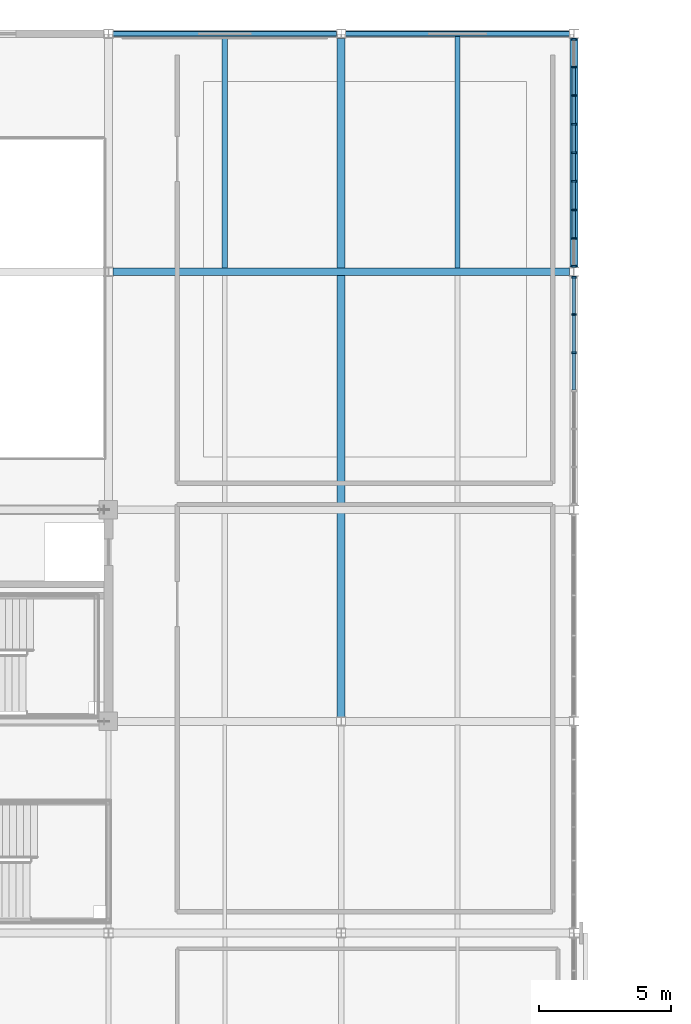
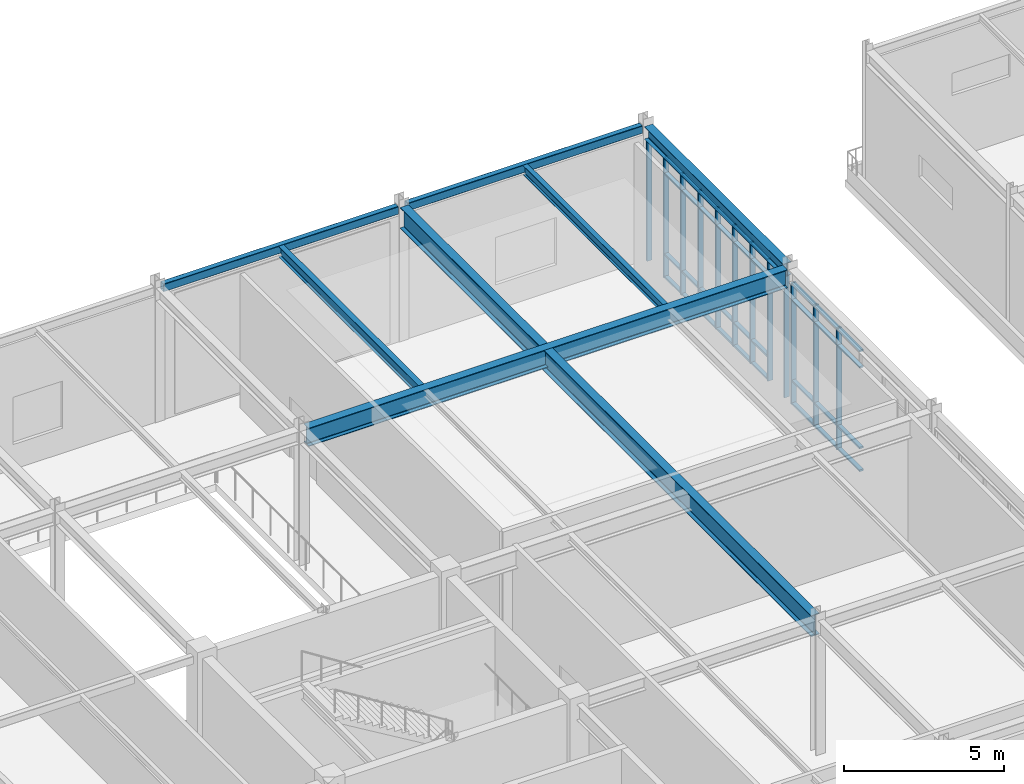
# One storey, part 69 of 184: 48 members, 7 beams, 2 elements without a shape of their own.
"""IFC4 building model written with IfcOpenShell, lengths in metres."""

from ifc_helpers import new_model, si_unit, direction, frame, origin, origin_2d, place, context, subcontext, project, spatial, rectangle, hollow_rectangle, i_section, extrude, material, material_profile, profile_set, type_object, element, aggregate, save


model = new_model("IFC4")

# Units and contexts
model_context = context("Model", 3, precision=1e-05, world=origin(), true_north=direction((0.0, 1.0)))
body_context = subcontext(model_context, "Body", "Model", "MODEL_VIEW")
ifc_project = project(units=[si_unit("LENGTHUNIT", "METRE"), si_unit("AREAUNIT", "SQUARE_METRE"), si_unit("VOLUMEUNIT", "CUBIC_METRE"), si_unit("PLANEANGLEUNIT", "RADIAN"), si_unit("MASSUNIT", "GRAM", prefix="KILO")], contexts=[model_context])

# Site, building, storey
site_placement = place(None, origin())
site = spatial("IfcSite", under=ifc_project, at=site_placement, CompositionType="ELEMENT")
building_placement = place(site_placement, origin())
building = spatial("IfcBuilding", under=site, at=building_placement, Name="Zhaolan Boulevard Law Courts", CompositionType="ELEMENT")
storey_placement = place(building_placement, frame((0.0, 0.0, 5.39990234375)))
storey = spatial("IfcBuildingStorey", under=building, at=storey_placement, Name="L01", CompositionType="ELEMENT", Elevation=5.39990234375)

# Curtain wall, members
ifc_material_1 = material(Name="Thermally broken aluminium and low-E glazing", Category="aluminium")
curtain_wall_type_1 = type_object("IfcCurtainWallType", Name="CURTAIN WALL M17", PredefinedType="USERDEFINED", material=ifc_material_1)
curtain_wall_1_placement = place(storey_placement, origin())
curtain_wall_1 = element("IfcCurtainWall", 1, at=curtain_wall_1_placement, inside=storey, type_object=curtain_wall_type_1, Name="Curtain Wall CW-L01-113", ObjectType="CURTAIN WALL", PredefinedType="USERDEFINED")
ifc_material_2 = material(Name="Fluorocarbon-coated aluminium 6063-T6", Category="aluminium")
ifc_material_profile_1 = material_profile(ifc_material_2, rectangle(XDim=0.179931640625, YDim=0.06494140625, at=origin_2d()), Name="AL65x180")
ifc_profile_set_1 = profile_set([ifc_material_profile_1], Name="Fluorocarbon-coated aluminium 6063-T6")
member_type_1 = type_object("IfcMemberType", Name="CWMULLION 65X180", PredefinedType="MULLION", material=ifc_profile_set_1)
member_1_placement = place(storey_placement, frame((44.0, 99.94091796875, 0.0), z_axis=(0.0, 0.0, 1.0), x_axis=(-1.0, 0.0, 0.0)))
member_1 = element("IfcMember", 2, at=member_1_placement, type_object=member_type_1, Name="CW-L01-113 mullion 5", PredefinedType="MULLION", context=body_context, shape_type="SweptSolid", body=[
    extrude(rectangle(XDim=0.179931640625, YDim=0.06494140625, at=origin_2d()), origin(), (0.0, 0.0, 1.0), 4.62109375),
])
member_2_placement = place(storey_placement, frame((44.0, 101.382080078125, 0.0), z_axis=(0.0, 0.0, 1.0), x_axis=(-1.0, 0.0, 0.0)))
member_2 = element("IfcMember", 3, at=member_2_placement, type_object=member_type_1, Name="CW-L01-113 mullion 6", PredefinedType="MULLION", context=body_context, shape_type="SweptSolid", body=[
    extrude(rectangle(XDim=0.179931640625, YDim=0.06494140625, at=origin_2d()), origin(), (0.0, 0.0, 1.0), 4.62109375),
])
member_3_placement = place(storey_placement, frame((44.0, 102.79052734375, 0.0), z_axis=(0.0, 0.0, 1.0), x_axis=(-1.0, 0.0, 0.0)))
member_3 = element("IfcMember", 4, at=member_3_placement, type_object=member_type_1, Name="CW-L01-113 mullion 7", PredefinedType="MULLION", context=body_context, shape_type="SweptSolid", body=[
    extrude(rectangle(XDim=0.179931640625, YDim=0.06494140625, at=origin_2d()), origin(), (0.0, 0.0, 1.0), 4.62109375),
])

ifc_material_3 = material(Name="Thermally broken aluminium and low-E glazing", Category="aluminium")
curtain_wall_type_2 = type_object("IfcCurtainWallType", Name="CURTAIN WALL M18", PredefinedType="USERDEFINED", material=ifc_material_3)
curtain_wall_2_placement = place(storey_placement, origin())
curtain_wall_2 = element("IfcCurtainWall", 5, at=curtain_wall_2_placement, inside=storey, type_object=curtain_wall_type_2, Name="Curtain Wall CW-L01-114", ObjectType="CURTAIN WALL", PredefinedType="USERDEFINED")
member_4_placement = place(storey_placement, frame((44.0, 103.20947265625, 0.0), z_axis=(0.0, 0.0, 1.0), x_axis=(-1.0, 0.0, 0.0)))
member_4 = element("IfcMember", 6, at=member_4_placement, type_object=member_type_1, Name="CW-L01-114 mullion 1", PredefinedType="MULLION", context=body_context, shape_type="SweptSolid", body=[
    extrude(rectangle(XDim=0.179931640625, YDim=0.06494140625, at=origin_2d()), origin(), (0.0, 0.0, 1.0), 4.62109375),
])
member_5_placement = place(storey_placement, frame((44.0, 104.2578125, 0.0), z_axis=(0.0, 0.0, 1.0), x_axis=(-1.0, 0.0, 0.0)))
member_5 = element("IfcMember", 7, at=member_5_placement, type_object=member_type_1, Name="CW-L01-114 mullion 2", PredefinedType="MULLION", context=body_context, shape_type="SweptSolid", body=[
    extrude(rectangle(XDim=0.179931640625, YDim=0.06494140625, at=origin_2d()), origin(), (0.0, 0.0, 1.0), 4.62109375),
])
member_6_placement = place(storey_placement, frame((44.0, 105.33837890625, 0.0), z_axis=(0.0, 0.0, 1.0), x_axis=(-1.0, 0.0, 0.0)))
member_6 = element("IfcMember", 8, at=member_6_placement, type_object=member_type_1, Name="CW-L01-114 mullion 3", PredefinedType="MULLION", context=body_context, shape_type="SweptSolid", body=[
    extrude(rectangle(XDim=0.179931640625, YDim=0.06494140625, at=origin_2d()), origin(), (0.0, 0.0, 1.0), 4.62109375),
])
member_7_placement = place(storey_placement, frame((44.0, 106.419189453125, 0.0), z_axis=(0.0, 0.0, 1.0), x_axis=(-1.0, 0.0, 0.0)))
member_7 = element("IfcMember", 9, at=member_7_placement, type_object=member_type_1, Name="CW-L01-114 mullion 4", PredefinedType="MULLION", context=body_context, shape_type="SweptSolid", body=[
    extrude(rectangle(XDim=0.179931640625, YDim=0.06494140625, at=origin_2d()), origin(), (0.0, 0.0, 1.0), 4.62109375),
])
member_8_placement = place(storey_placement, frame((44.0, 107.5, 0.0), z_axis=(0.0, 0.0, 1.0), x_axis=(-1.0, 0.0, 0.0)))
member_8 = element("IfcMember", 10, at=member_8_placement, type_object=member_type_1, Name="CW-L01-114 mullion 5", PredefinedType="MULLION", context=body_context, shape_type="SweptSolid", body=[
    extrude(rectangle(XDim=0.179931640625, YDim=0.06494140625, at=origin_2d()), origin(), (0.0, 0.0, 1.0), 4.62109375),
])
member_9_placement = place(storey_placement, frame((44.0, 108.580810546875, 0.0), z_axis=(0.0, 0.0, 1.0), x_axis=(-1.0, 0.0, 0.0)))
member_9 = element("IfcMember", 11, at=member_9_placement, type_object=member_type_1, Name="CW-L01-114 mullion 6", PredefinedType="MULLION", context=body_context, shape_type="SweptSolid", body=[
    extrude(rectangle(XDim=0.179931640625, YDim=0.06494140625, at=origin_2d()), origin(), (0.0, 0.0, 1.0), 4.62109375),
])
member_10_placement = place(storey_placement, frame((44.0, 109.66162109375, 0.0), z_axis=(0.0, 0.0, 1.0), x_axis=(-1.0, 0.0, 0.0)))
member_10 = element("IfcMember", 12, at=member_10_placement, type_object=member_type_1, Name="CW-L01-114 mullion 7", PredefinedType="MULLION", context=body_context, shape_type="SweptSolid", body=[
    extrude(rectangle(XDim=0.179931640625, YDim=0.06494140625, at=origin_2d()), origin(), (0.0, 0.0, 1.0), 4.62109375),
])
member_11_placement = place(storey_placement, frame((44.0, 110.7421875, 0.0), z_axis=(0.0, 0.0, 1.0), x_axis=(-1.0, 0.0, 0.0)))
member_11 = element("IfcMember", 13, at=member_11_placement, type_object=member_type_1, Name="CW-L01-114 mullion 8", PredefinedType="MULLION", context=body_context, shape_type="SweptSolid", body=[
    extrude(rectangle(XDim=0.179931640625, YDim=0.06494140625, at=origin_2d()), origin(), (0.0, 0.0, 1.0), 4.62109375),
])
member_12_placement = place(storey_placement, frame((44.0, 111.79052734375, 0.0), z_axis=(0.0, 0.0, 1.0), x_axis=(-1.0, 0.0, 0.0)))
member_12 = element("IfcMember", 14, at=member_12_placement, type_object=member_type_1, Name="CW-L01-114 mullion 9", PredefinedType="MULLION", context=body_context, shape_type="SweptSolid", body=[
    extrude(rectangle(XDim=0.179931640625, YDim=0.06494140625, at=origin_2d()), origin(), (0.0, 0.0, 1.0), 4.62109375),
])

# Member
ifc_material_4 = material(Name="Fluorocarbon-coated aluminium 6063-T6", Category="aluminium")
ifc_material_profile_2 = material_profile(ifc_material_4, rectangle(XDim=0.139892578125, YDim=0.06494140625, at=origin_2d()), Name="AL65x140")
ifc_profile_set_2 = profile_set([ifc_material_profile_2], Name="Fluorocarbon-coated aluminium 6063-T6")
member_type_2 = type_object("IfcMemberType", Name="CWTRANSOM 65X140", PredefinedType="USERDEFINED", material=ifc_profile_set_2)
member_13_placement = place(storey_placement, frame((44.0, 98.532470703125, 0.03271484375), z_axis=(0.0, 1.0, 0.0), x_axis=(-1.0, 0.0, 0.0)))
member_13 = element("IfcMember", 15, at=member_13_placement, type_object=member_type_2, Name="CW-L01-113 transom 4.1", ObjectType="TRANSOM", PredefinedType="USERDEFINED", context=body_context, shape_type="SweptSolid", body=[
    extrude(rectangle(XDim=0.139892578125, YDim=0.06494140625, at=origin_2d()), origin(), (0.0, 0.0, 1.0), 1.3759765625),
])

member_14_placement = place(storey_placement, frame((44.0, 98.532470703125, 0.900146484375), z_axis=(0.0, 1.0, 0.0), x_axis=(-1.0, 0.0, 0.0)))
member_14 = element("IfcMember", 16, at=member_14_placement, type_object=member_type_2, Name="CW-L01-113 transom 4.2", ObjectType="TRANSOM", PredefinedType="USERDEFINED", context=body_context, shape_type="SweptSolid", body=[
    extrude(rectangle(XDim=0.139892578125, YDim=0.06494140625, at=origin_2d()), origin(), (0.0, 0.0, 1.0), 1.3759765625),
])

member_15_placement = place(storey_placement, frame((44.0, 98.532470703125, 3.97119140625), z_axis=(0.0, 1.0, 0.0), x_axis=(-1.0, 0.0, 0.0)))
member_15 = element("IfcMember", 17, at=member_15_placement, type_object=member_type_2, Name="CW-L01-113 transom 4.3", ObjectType="TRANSOM", PredefinedType="USERDEFINED", context=body_context, shape_type="SweptSolid", body=[
    extrude(rectangle(XDim=0.139892578125, YDim=0.06494140625, at=origin_2d()), origin(), (0.0, 0.0, 1.0), 1.3759765625),
])

member_16_placement = place(storey_placement, frame((44.0, 98.532470703125, 4.588623046875), z_axis=(0.0, 1.0, 0.0), x_axis=(-1.0, 0.0, 0.0)))
member_16 = element("IfcMember", 18, at=member_16_placement, type_object=member_type_2, Name="CW-L01-113 transom 4.4", ObjectType="TRANSOM", PredefinedType="USERDEFINED", context=body_context, shape_type="SweptSolid", body=[
    extrude(rectangle(XDim=0.139892578125, YDim=0.06494140625, at=origin_2d()), origin(), (0.0, 0.0, 1.0), 1.3759765625),
])

member_17_placement = place(storey_placement, frame((44.0, 99.973388671875, 0.03271484375), z_axis=(0.0, 1.0, 0.0), x_axis=(-1.0, 0.0, 0.0)))
member_17 = element("IfcMember", 19, at=member_17_placement, type_object=member_type_2, Name="CW-L01-113 transom 5.1", ObjectType="TRANSOM", PredefinedType="USERDEFINED", context=body_context, shape_type="SweptSolid", body=[
    extrude(rectangle(XDim=0.139892578125, YDim=0.06494140625, at=origin_2d()), origin(), (0.0, 0.0, 1.0), 1.376220703125),
])

member_18_placement = place(storey_placement, frame((44.0, 99.973388671875, 0.900146484375), z_axis=(0.0, 1.0, 0.0), x_axis=(-1.0, 0.0, 0.0)))
member_18 = element("IfcMember", 20, at=member_18_placement, type_object=member_type_2, Name="CW-L01-113 transom 5.2", ObjectType="TRANSOM", PredefinedType="USERDEFINED", context=body_context, shape_type="SweptSolid", body=[
    extrude(rectangle(XDim=0.139892578125, YDim=0.06494140625, at=origin_2d()), origin(), (0.0, 0.0, 1.0), 1.376220703125),
])

member_19_placement = place(storey_placement, frame((44.0, 99.973388671875, 3.97119140625), z_axis=(0.0, 1.0, 0.0), x_axis=(-1.0, 0.0, 0.0)))
member_19 = element("IfcMember", 21, at=member_19_placement, type_object=member_type_2, Name="CW-L01-113 transom 5.3", ObjectType="TRANSOM", PredefinedType="USERDEFINED", context=body_context, shape_type="SweptSolid", body=[
    extrude(rectangle(XDim=0.139892578125, YDim=0.06494140625, at=origin_2d()), origin(), (0.0, 0.0, 1.0), 1.376220703125),
])

member_20_placement = place(storey_placement, frame((44.0, 99.973388671875, 4.588623046875), z_axis=(0.0, 1.0, 0.0), x_axis=(-1.0, 0.0, 0.0)))
member_20 = element("IfcMember", 22, at=member_20_placement, type_object=member_type_2, Name="CW-L01-113 transom 5.4", ObjectType="TRANSOM", PredefinedType="USERDEFINED", context=body_context, shape_type="SweptSolid", body=[
    extrude(rectangle(XDim=0.139892578125, YDim=0.06494140625, at=origin_2d()), origin(), (0.0, 0.0, 1.0), 1.376220703125),
])

member_21_placement = place(storey_placement, frame((44.0, 101.41455078125, 0.03271484375), z_axis=(0.0, 1.0, 0.0), x_axis=(-1.0, 0.0, 0.0)))
member_21 = element("IfcMember", 23, at=member_21_placement, type_object=member_type_2, Name="CW-L01-113 transom 6.1", ObjectType="TRANSOM", PredefinedType="USERDEFINED", context=body_context, shape_type="SweptSolid", body=[
    extrude(rectangle(XDim=0.139892578125, YDim=0.06494140625, at=origin_2d()), origin(), (0.0, 0.0, 1.0), 1.343505859375),
])

member_22_placement = place(storey_placement, frame((44.0, 101.41455078125, 0.900146484375), z_axis=(0.0, 1.0, 0.0), x_axis=(-1.0, 0.0, 0.0)))
member_22 = element("IfcMember", 24, at=member_22_placement, type_object=member_type_2, Name="CW-L01-113 transom 6.2", ObjectType="TRANSOM", PredefinedType="USERDEFINED", context=body_context, shape_type="SweptSolid", body=[
    extrude(rectangle(XDim=0.139892578125, YDim=0.06494140625, at=origin_2d()), origin(), (0.0, 0.0, 1.0), 1.343505859375),
])

member_23_placement = place(storey_placement, frame((44.0, 101.41455078125, 3.97119140625), z_axis=(0.0, 1.0, 0.0), x_axis=(-1.0, 0.0, 0.0)))
member_23 = element("IfcMember", 25, at=member_23_placement, type_object=member_type_2, Name="CW-L01-113 transom 6.3", ObjectType="TRANSOM", PredefinedType="USERDEFINED", context=body_context, shape_type="SweptSolid", body=[
    extrude(rectangle(XDim=0.139892578125, YDim=0.06494140625, at=origin_2d()), origin(), (0.0, 0.0, 1.0), 1.343505859375),
])

member_24_placement = place(storey_placement, frame((44.0, 101.41455078125, 4.588623046875), z_axis=(0.0, 1.0, 0.0), x_axis=(-1.0, 0.0, 0.0)))
member_24 = element("IfcMember", 26, at=member_24_placement, type_object=member_type_2, Name="CW-L01-113 transom 6.4", ObjectType="TRANSOM", PredefinedType="USERDEFINED", context=body_context, shape_type="SweptSolid", body=[
    extrude(rectangle(XDim=0.139892578125, YDim=0.06494140625, at=origin_2d()), origin(), (0.0, 0.0, 1.0), 1.343505859375),
])

aggregate(curtain_wall_1, [member_1, member_2, member_3, member_13, member_14, member_15, member_16, member_17, member_18, member_19, member_20, member_21, member_22, member_23, member_24])

member_25_placement = place(storey_placement, frame((44.0, 104.290283203125, 0.03271484375), z_axis=(0.0, 1.0, 0.0), x_axis=(-1.0, 0.0, 0.0)))
member_25 = element("IfcMember", 27, at=member_25_placement, type_object=member_type_2, Name="CW-L01-114 transom 2.1", ObjectType="TRANSOM", PredefinedType="USERDEFINED", context=body_context, shape_type="SweptSolid", body=[
    extrude(rectangle(XDim=0.139892578125, YDim=0.06494140625, at=origin_2d()), origin(), (0.0, 0.0, 1.0), 1.015625),
])

member_26_placement = place(storey_placement, frame((44.0, 104.290283203125, 0.900146484375), z_axis=(0.0, 1.0, 0.0), x_axis=(-1.0, 0.0, 0.0)))
member_26 = element("IfcMember", 28, at=member_26_placement, type_object=member_type_2, Name="CW-L01-114 transom 2.2", ObjectType="TRANSOM", PredefinedType="USERDEFINED", context=body_context, shape_type="SweptSolid", body=[
    extrude(rectangle(XDim=0.139892578125, YDim=0.06494140625, at=origin_2d()), origin(), (0.0, 0.0, 1.0), 1.015625),
])

member_27_placement = place(storey_placement, frame((44.0, 104.290283203125, 3.97119140625), z_axis=(0.0, 1.0, 0.0), x_axis=(-1.0, 0.0, 0.0)))
member_27 = element("IfcMember", 29, at=member_27_placement, type_object=member_type_2, Name="CW-L01-114 transom 2.3", ObjectType="TRANSOM", PredefinedType="USERDEFINED", context=body_context, shape_type="SweptSolid", body=[
    extrude(rectangle(XDim=0.139892578125, YDim=0.06494140625, at=origin_2d()), origin(), (0.0, 0.0, 1.0), 1.015625),
])

member_28_placement = place(storey_placement, frame((44.0, 104.290283203125, 4.588623046875), z_axis=(0.0, 1.0, 0.0), x_axis=(-1.0, 0.0, 0.0)))
member_28 = element("IfcMember", 30, at=member_28_placement, type_object=member_type_2, Name="CW-L01-114 transom 2.4", ObjectType="TRANSOM", PredefinedType="USERDEFINED", context=body_context, shape_type="SweptSolid", body=[
    extrude(rectangle(XDim=0.139892578125, YDim=0.06494140625, at=origin_2d()), origin(), (0.0, 0.0, 1.0), 1.015625),
])

member_29_placement = place(storey_placement, frame((44.0, 105.37109375, 0.03271484375), z_axis=(0.0, 1.0, 0.0), x_axis=(-1.0, 0.0, 0.0)))
member_29 = element("IfcMember", 31, at=member_29_placement, type_object=member_type_2, Name="CW-L01-114 transom 3.1", ObjectType="TRANSOM", PredefinedType="USERDEFINED", context=body_context, shape_type="SweptSolid", body=[
    extrude(rectangle(XDim=0.139892578125, YDim=0.06494140625, at=origin_2d()), origin(), (0.0, 0.0, 1.0), 1.015625),
])

member_30_placement = place(storey_placement, frame((44.0, 105.37109375, 0.900146484375), z_axis=(0.0, 1.0, 0.0), x_axis=(-1.0, 0.0, 0.0)))
member_30 = element("IfcMember", 32, at=member_30_placement, type_object=member_type_2, Name="CW-L01-114 transom 3.2", ObjectType="TRANSOM", PredefinedType="USERDEFINED", context=body_context, shape_type="SweptSolid", body=[
    extrude(rectangle(XDim=0.139892578125, YDim=0.06494140625, at=origin_2d()), origin(), (0.0, 0.0, 1.0), 1.015625),
])

member_31_placement = place(storey_placement, frame((44.0, 105.37109375, 3.97119140625), z_axis=(0.0, 1.0, 0.0), x_axis=(-1.0, 0.0, 0.0)))
member_31 = element("IfcMember", 33, at=member_31_placement, type_object=member_type_2, Name="CW-L01-114 transom 3.3", ObjectType="TRANSOM", PredefinedType="USERDEFINED", context=body_context, shape_type="SweptSolid", body=[
    extrude(rectangle(XDim=0.139892578125, YDim=0.06494140625, at=origin_2d()), origin(), (0.0, 0.0, 1.0), 1.015625),
])

member_32_placement = place(storey_placement, frame((44.0, 105.37109375, 4.588623046875), z_axis=(0.0, 1.0, 0.0), x_axis=(-1.0, 0.0, 0.0)))
member_32 = element("IfcMember", 34, at=member_32_placement, type_object=member_type_2, Name="CW-L01-114 transom 3.4", ObjectType="TRANSOM", PredefinedType="USERDEFINED", context=body_context, shape_type="SweptSolid", body=[
    extrude(rectangle(XDim=0.139892578125, YDim=0.06494140625, at=origin_2d()), origin(), (0.0, 0.0, 1.0), 1.015625),
])

member_33_placement = place(storey_placement, frame((44.0, 106.45166015625, 0.03271484375), z_axis=(0.0, 1.0, 0.0), x_axis=(-1.0, 0.0, 0.0)))
member_33 = element("IfcMember", 35, at=member_33_placement, type_object=member_type_2, Name="CW-L01-114 transom 4.1", ObjectType="TRANSOM", PredefinedType="USERDEFINED", context=body_context, shape_type="SweptSolid", body=[
    extrude(rectangle(XDim=0.139892578125, YDim=0.06494140625, at=origin_2d()), origin(), (0.0, 0.0, 1.0), 1.015869140625),
])

member_34_placement = place(storey_placement, frame((44.0, 106.45166015625, 0.900146484375), z_axis=(0.0, 1.0, 0.0), x_axis=(-1.0, 0.0, 0.0)))
member_34 = element("IfcMember", 36, at=member_34_placement, type_object=member_type_2, Name="CW-L01-114 transom 4.2", ObjectType="TRANSOM", PredefinedType="USERDEFINED", context=body_context, shape_type="SweptSolid", body=[
    extrude(rectangle(XDim=0.139892578125, YDim=0.06494140625, at=origin_2d()), origin(), (0.0, 0.0, 1.0), 1.015869140625),
])

member_35_placement = place(storey_placement, frame((44.0, 106.45166015625, 3.97119140625), z_axis=(0.0, 1.0, 0.0), x_axis=(-1.0, 0.0, 0.0)))
member_35 = element("IfcMember", 37, at=member_35_placement, type_object=member_type_2, Name="CW-L01-114 transom 4.3", ObjectType="TRANSOM", PredefinedType="USERDEFINED", context=body_context, shape_type="SweptSolid", body=[
    extrude(rectangle(XDim=0.139892578125, YDim=0.06494140625, at=origin_2d()), origin(), (0.0, 0.0, 1.0), 1.015869140625),
])

member_36_placement = place(storey_placement, frame((44.0, 106.45166015625, 4.588623046875), z_axis=(0.0, 1.0, 0.0), x_axis=(-1.0, 0.0, 0.0)))
member_36 = element("IfcMember", 38, at=member_36_placement, type_object=member_type_2, Name="CW-L01-114 transom 4.4", ObjectType="TRANSOM", PredefinedType="USERDEFINED", context=body_context, shape_type="SweptSolid", body=[
    extrude(rectangle(XDim=0.139892578125, YDim=0.06494140625, at=origin_2d()), origin(), (0.0, 0.0, 1.0), 1.015869140625),
])

member_37_placement = place(storey_placement, frame((44.0, 107.532470703125, 0.03271484375), z_axis=(0.0, 1.0, 0.0), x_axis=(-1.0, 0.0, 0.0)))
member_37 = element("IfcMember", 39, at=member_37_placement, type_object=member_type_2, Name="CW-L01-114 transom 5.1", ObjectType="TRANSOM", PredefinedType="USERDEFINED", context=body_context, shape_type="SweptSolid", body=[
    extrude(rectangle(XDim=0.139892578125, YDim=0.06494140625, at=origin_2d()), origin(), (0.0, 0.0, 1.0), 1.015869140625),
])

member_38_placement = place(storey_placement, frame((44.0, 107.532470703125, 0.900146484375), z_axis=(0.0, 1.0, 0.0), x_axis=(-1.0, 0.0, 0.0)))
member_38 = element("IfcMember", 40, at=member_38_placement, type_object=member_type_2, Name="CW-L01-114 transom 5.2", ObjectType="TRANSOM", PredefinedType="USERDEFINED", context=body_context, shape_type="SweptSolid", body=[
    extrude(rectangle(XDim=0.139892578125, YDim=0.06494140625, at=origin_2d()), origin(), (0.0, 0.0, 1.0), 1.015869140625),
])

member_39_placement = place(storey_placement, frame((44.0, 107.532470703125, 3.97119140625), z_axis=(0.0, 1.0, 0.0), x_axis=(-1.0, 0.0, 0.0)))
member_39 = element("IfcMember", 41, at=member_39_placement, type_object=member_type_2, Name="CW-L01-114 transom 5.3", ObjectType="TRANSOM", PredefinedType="USERDEFINED", context=body_context, shape_type="SweptSolid", body=[
    extrude(rectangle(XDim=0.139892578125, YDim=0.06494140625, at=origin_2d()), origin(), (0.0, 0.0, 1.0), 1.015869140625),
])

member_40_placement = place(storey_placement, frame((44.0, 107.532470703125, 4.588623046875), z_axis=(0.0, 1.0, 0.0), x_axis=(-1.0, 0.0, 0.0)))
member_40 = element("IfcMember", 42, at=member_40_placement, type_object=member_type_2, Name="CW-L01-114 transom 5.4", ObjectType="TRANSOM", PredefinedType="USERDEFINED", context=body_context, shape_type="SweptSolid", body=[
    extrude(rectangle(XDim=0.139892578125, YDim=0.06494140625, at=origin_2d()), origin(), (0.0, 0.0, 1.0), 1.015869140625),
])

member_41_placement = place(storey_placement, frame((44.0, 108.61328125, 0.03271484375), z_axis=(0.0, 1.0, 0.0), x_axis=(-1.0, 0.0, 0.0)))
member_41 = element("IfcMember", 43, at=member_41_placement, type_object=member_type_2, Name="CW-L01-114 transom 6.1", ObjectType="TRANSOM", PredefinedType="USERDEFINED", context=body_context, shape_type="SweptSolid", body=[
    extrude(rectangle(XDim=0.139892578125, YDim=0.06494140625, at=origin_2d()), origin(), (0.0, 0.0, 1.0), 1.015625),
])

member_42_placement = place(storey_placement, frame((44.0, 108.61328125, 0.900146484375), z_axis=(0.0, 1.0, 0.0), x_axis=(-1.0, 0.0, 0.0)))
member_42 = element("IfcMember", 44, at=member_42_placement, type_object=member_type_2, Name="CW-L01-114 transom 6.2", ObjectType="TRANSOM", PredefinedType="USERDEFINED", context=body_context, shape_type="SweptSolid", body=[
    extrude(rectangle(XDim=0.139892578125, YDim=0.06494140625, at=origin_2d()), origin(), (0.0, 0.0, 1.0), 1.015625),
])

member_43_placement = place(storey_placement, frame((44.0, 108.61328125, 3.97119140625), z_axis=(0.0, 1.0, 0.0), x_axis=(-1.0, 0.0, 0.0)))
member_43 = element("IfcMember", 45, at=member_43_placement, type_object=member_type_2, Name="CW-L01-114 transom 6.3", ObjectType="TRANSOM", PredefinedType="USERDEFINED", context=body_context, shape_type="SweptSolid", body=[
    extrude(rectangle(XDim=0.139892578125, YDim=0.06494140625, at=origin_2d()), origin(), (0.0, 0.0, 1.0), 1.015625),
])

member_44_placement = place(storey_placement, frame((44.0, 108.61328125, 4.588623046875), z_axis=(0.0, 1.0, 0.0), x_axis=(-1.0, 0.0, 0.0)))
member_44 = element("IfcMember", 46, at=member_44_placement, type_object=member_type_2, Name="CW-L01-114 transom 6.4", ObjectType="TRANSOM", PredefinedType="USERDEFINED", context=body_context, shape_type="SweptSolid", body=[
    extrude(rectangle(XDim=0.139892578125, YDim=0.06494140625, at=origin_2d()), origin(), (0.0, 0.0, 1.0), 1.015625),
])

member_45_placement = place(storey_placement, frame((44.0, 109.694091796875, 0.03271484375), z_axis=(0.0, 1.0, 0.0), x_axis=(-1.0, 0.0, 0.0)))
member_45 = element("IfcMember", 47, at=member_45_placement, type_object=member_type_2, Name="CW-L01-114 transom 7.1", ObjectType="TRANSOM", PredefinedType="USERDEFINED", context=body_context, shape_type="SweptSolid", body=[
    extrude(rectangle(XDim=0.139892578125, YDim=0.06494140625, at=origin_2d()), origin(), (0.0, 0.0, 1.0), 1.015625),
])

member_46_placement = place(storey_placement, frame((44.0, 109.694091796875, 0.900146484375), z_axis=(0.0, 1.0, 0.0), x_axis=(-1.0, 0.0, 0.0)))
member_46 = element("IfcMember", 48, at=member_46_placement, type_object=member_type_2, Name="CW-L01-114 transom 7.2", ObjectType="TRANSOM", PredefinedType="USERDEFINED", context=body_context, shape_type="SweptSolid", body=[
    extrude(rectangle(XDim=0.139892578125, YDim=0.06494140625, at=origin_2d()), origin(), (0.0, 0.0, 1.0), 1.015625),
])

member_47_placement = place(storey_placement, frame((44.0, 109.694091796875, 3.97119140625), z_axis=(0.0, 1.0, 0.0), x_axis=(-1.0, 0.0, 0.0)))
member_47 = element("IfcMember", 49, at=member_47_placement, type_object=member_type_2, Name="CW-L01-114 transom 7.3", ObjectType="TRANSOM", PredefinedType="USERDEFINED", context=body_context, shape_type="SweptSolid", body=[
    extrude(rectangle(XDim=0.139892578125, YDim=0.06494140625, at=origin_2d()), origin(), (0.0, 0.0, 1.0), 1.015625),
])

member_48_placement = place(storey_placement, frame((44.0, 109.694091796875, 4.588623046875), z_axis=(0.0, 1.0, 0.0), x_axis=(-1.0, 0.0, 0.0)))
member_48 = element("IfcMember", 50, at=member_48_placement, type_object=member_type_2, Name="CW-L01-114 transom 7.4", ObjectType="TRANSOM", PredefinedType="USERDEFINED", context=body_context, shape_type="SweptSolid", body=[
    extrude(rectangle(XDim=0.139892578125, YDim=0.06494140625, at=origin_2d()), origin(), (0.0, 0.0, 1.0), 1.015625),
])

aggregate(curtain_wall_2, [member_4, member_5, member_6, member_7, member_8, member_9, member_10, member_11, member_12, member_25, member_26, member_27, member_28, member_29, member_30, member_31, member_32, member_33, member_34, member_35, member_36, member_37, member_38, member_39, member_40, member_41, member_42, member_43, member_44, member_45, member_46, member_47, member_48])

# Beams
ifc_material_5 = material(Name="Structural steel Q355B", Category="steel")
ifc_material_profile_3 = material_profile(ifc_material_5, i_section(OverallWidth=0.300048828125, OverallDepth=0.48193359375, WebThickness=0.010986328125, FlangeThickness=0.014892578125, FilletRadius=0.02197265625, at=origin_2d()), Name="HM482x300")
ifc_profile_set_3 = profile_set([ifc_material_profile_3], Name="Structural steel Q355B")
beam_type_1 = type_object("IfcBeamType", Name="GIRDER HM488", PredefinedType="BEAM", material=ifc_profile_set_3)
beam_1_placement = place(storey_placement, frame((44.0, 103.1708984375, 4.877197265625), z_axis=(0.0, 1.0, 0.0), x_axis=(-1.0, 0.0, 0.0)))
element("IfcBeam", 51, at=beam_1_placement, inside=storey, type_object=beam_type_1, Name="Beam BY-L02-6-P-Q", PredefinedType="BEAM", context=body_context, shape_type="SweptSolid", body=[
    extrude(i_section(OverallWidth=0.300048828125, OverallDepth=0.48193359375, WebThickness=0.010986328125, FlangeThickness=0.014892578125, FilletRadius=0.02197265625, at=origin_2d()), origin(), (0.0, 0.0, 1.0), 8.658203125),
])
ifc_material_6 = material(Name="Structural steel Q390B", Category="steel")
ifc_material_profile_4 = material_profile(ifc_material_6, i_section(OverallWidth=0.300048828125, OverallDepth=0.699951171875, WebThickness=0.012939453125, FlangeThickness=0.02392578125, FilletRadius=0.02392578125, at=origin_2d()), Name="HN700x300")
ifc_profile_set_4 = profile_set([ifc_material_profile_4], Name="Structural steel Q390B")
beam_type_2 = type_object("IfcBeamType", Name="GIRDER HN700", PredefinedType="BEAM", material=ifc_profile_set_4)
beam_2_placement = place(storey_placement, frame((26.571044921875, 103.0, 4.76806640625), z_axis=(1.0, 0.0, 0.0), x_axis=(0.0, 1.0, 0.0)))
element("IfcBeam", 52, at=beam_2_placement, inside=storey, type_object=beam_type_2, Name="Beam BX-L02-4-6-P", PredefinedType="BEAM", context=body_context, shape_type="SweptSolid", body=[
    extrude(i_section(OverallWidth=0.300048828125, OverallDepth=0.699951171875, WebThickness=0.012939453125, FlangeThickness=0.02392578125, FilletRadius=0.02392578125, at=origin_2d()), origin(), (0.0, 0.0, 1.0), 17.258056640625),
])
ifc_material_7 = material(Name="Structural steel Q390B", Category="steel")
ifc_material_profile_5 = material_profile(ifc_material_7, i_section(OverallWidth=0.300048828125, OverallDepth=0.800048828125, WebThickness=0.013916015625, FlangeThickness=0.02587890625, FilletRadius=0.02392578125, at=origin_2d()), Name="HN800x300")
ifc_profile_set_5 = profile_set([ifc_material_profile_5], Name="Structural steel Q390B")
beam_type_3 = type_object("IfcBeamType", Name="GIRDER HN800", PredefinedType="BEAM", material=ifc_profile_set_5)
beam_3_placement = place(storey_placement, frame((35.199951171875, 86.1708984375, 4.718017578125), z_axis=(0.0, 1.0, 0.0), x_axis=(-1.0, 0.0, 0.0)))
element("IfcBeam", 53, at=beam_3_placement, inside=storey, type_object=beam_type_3, Name="Beam BY-L02-5-M-Q", PredefinedType="BEAM", context=body_context, shape_type="SweptSolid", body=[
    extrude(i_section(OverallWidth=0.300048828125, OverallDepth=0.800048828125, WebThickness=0.013916015625, FlangeThickness=0.02587890625, FilletRadius=0.02392578125, at=origin_2d()), origin(), (0.0, 0.0, 1.0), 25.658203125),
])
ifc_material_8 = material(Name="Structural steel Q355B", Category="steel")
ifc_material_profile_6 = material_profile(ifc_material_8, i_section(OverallWidth=0.175048828125, OverallDepth=0.35009765625, WebThickness=0.007080078125, FlangeThickness=0.010986328125, FilletRadius=0.012939453125, at=origin_2d()), Name="HN350x175")
ifc_profile_set_6 = profile_set([ifc_material_profile_6], Name="Structural steel Q355B")
beam_type_4 = type_object("IfcBeamType", Name="JOIST HN350", PredefinedType="JOIST", material=ifc_profile_set_6)
beam_4_placement = place(storey_placement, frame((39.60009765625, 103.14599609375, 4.943115234375), z_axis=(0.0, 1.0, 0.0), x_axis=(-1.0, 0.0, 0.0)))
element("IfcBeam", 54, at=beam_4_placement, inside=storey, type_object=beam_type_4, Name="Composite Joist J-L02-5P", PredefinedType="JOIST", context=body_context, shape_type="SweptSolid", body=[
    extrude(i_section(OverallWidth=0.175048828125, OverallDepth=0.35009765625, WebThickness=0.007080078125, FlangeThickness=0.010986328125, FilletRadius=0.012939453125, at=origin_2d()), origin(), (0.0, 0.0, 1.0), 8.758056640625),
])
ifc_material_9 = material(Name="Structural steel Q355B", Category="steel")
ifc_material_profile_7 = material_profile(ifc_material_9, i_section(OverallWidth=0.199951171875, OverallDepth=0.39990234375, WebThickness=0.008056640625, FlangeThickness=0.012939453125, FilletRadius=0.013916015625, at=origin_2d()), Name="HN400x200")
ifc_profile_set_7 = profile_set([ifc_material_profile_7], Name="Structural steel Q355B")
beam_type_5 = type_object("IfcBeamType", Name="JOIST HN400", PredefinedType="JOIST", material=ifc_profile_set_7)
beam_5_placement = place(storey_placement, frame((30.800048828125, 103.14599609375, 4.918212890625), z_axis=(0.0, 1.0, 0.0), x_axis=(-1.0, 0.0, 0.0)))
element("IfcBeam", 55, at=beam_5_placement, inside=storey, type_object=beam_type_5, Name="Composite Joist J-L02-4P", PredefinedType="JOIST", context=body_context, shape_type="SweptSolid", body=[
    extrude(i_section(OverallWidth=0.199951171875, OverallDepth=0.39990234375, WebThickness=0.008056640625, FlangeThickness=0.012939453125, FilletRadius=0.013916015625, at=origin_2d()), origin(), (0.0, 0.0, 1.0), 8.758056640625),
])
ifc_material_10 = material(Name="Structural steel Q355B", Category="steel")
ifc_material_profile_8 = material_profile(ifc_material_10, hollow_rectangle(XDim=0.199951171875, YDim=0.300048828125, WallThickness=0.011962890625, InnerFilletRadius=0.011962890625, OuterFilletRadius=0.02392578125, at=origin_2d()), Name="HSS300x200x12")
ifc_profile_set_8 = profile_set([ifc_material_profile_8], Name="Structural steel Q355B")
beam_type_6 = type_object("IfcBeamType", Name="SPANDREL HSS300", PredefinedType="SPANDREL", material=ifc_profile_set_8)
for number, where, z_axis, x_axis, name in (
    (56, (26.571044921875, 112.0, 4.968017578125), (1.0, 0.0, 0.0), (0.0, 1.0, 0.0), "Beam BX-L02-4-5-Q"),
    (57, (35.37109375, 112.0, 4.968017578125), (1.0, 0.0, 0.0), (0.0, 1.0, 0.0), "Beam BX-L02-5-6-Q"),
):
    element("IfcBeam", number, at=place(storey_placement, frame(where, z_axis=z_axis, x_axis=x_axis)), inside=storey, type_object=beam_type_6, Name=name, PredefinedType="SPANDREL", context=body_context, shape_type="SweptSolid", body=[
        extrude(hollow_rectangle(XDim=0.199951171875, YDim=0.300048828125, WallThickness=0.011962890625, InnerFilletRadius=0.011962890625, OuterFilletRadius=0.02392578125, at=origin_2d()), origin(), (0.0, 0.0, 1.0), 8.4580078125),
    ])

save(model, "model.ifc")
